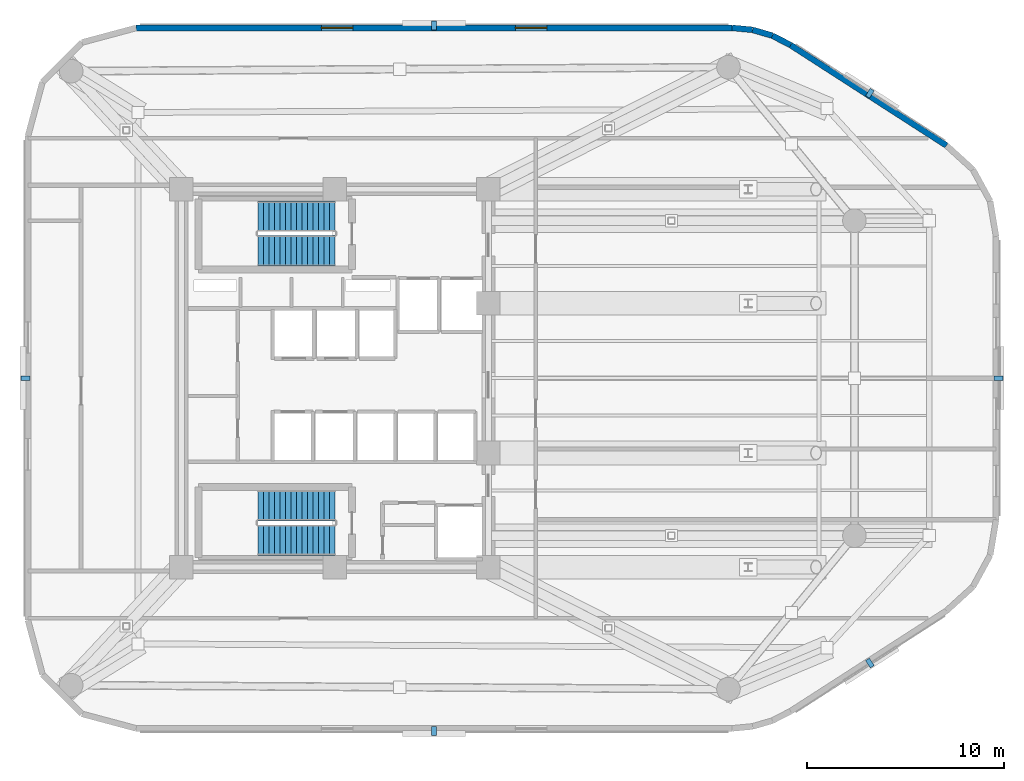
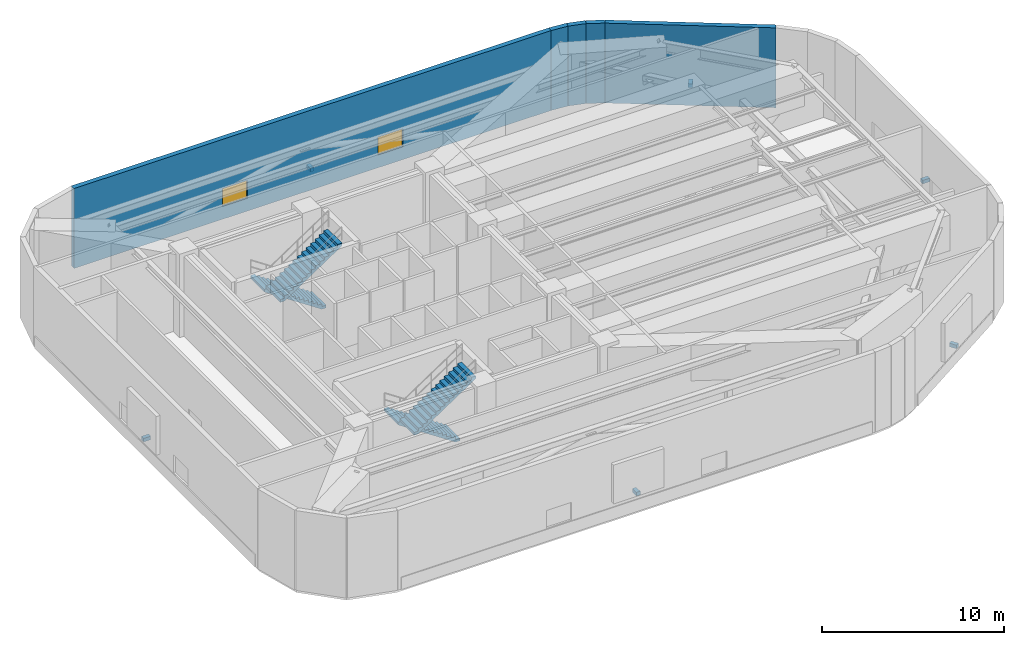
# One storey, part 7 of 9: 6 discrete accessories, 5 walls, 4 stair flights, 2 windows, 2 openings, 2 elements without a shape of their own.
"""IFC4 building model written with IfcOpenShell, lengths in metres."""

from ifc_helpers import new_model, si_unit, direction, frame, frame_2d, origin, origin_2d, place, context, subcontext, project, spatial, polyline, rectangle, outline, extrude, material, layer, layer_set, type_object, element, fill, aggregate, save


model = new_model("IFC4")

# Units and contexts
model_context = context("Model", 3, precision=1e-05, world=origin(), true_north=direction((0.0, 1.0)))
body_context = subcontext(model_context, "Body", "Model", "MODEL_VIEW")
ifc_project = project(units=[si_unit("LENGTHUNIT", "METRE"), si_unit("AREAUNIT", "SQUARE_METRE"), si_unit("VOLUMEUNIT", "CUBIC_METRE"), si_unit("PLANEANGLEUNIT", "RADIAN"), si_unit("MASSUNIT", "GRAM", prefix="KILO")], contexts=[model_context])

# Site, building, storey
site_placement = place(None, origin())
site = spatial("IfcSite", under=ifc_project, at=site_placement, CompositionType="ELEMENT")
building_placement = place(site_placement, origin())
building = spatial("IfcBuilding", under=site, at=building_placement, Name="An Khanh Terracotta Commons", CompositionType="ELEMENT")
storey_placement = place(building_placement, frame((0.0, 0.0, 190.60009765625)))
storey = spatial("IfcBuildingStorey", under=building, at=storey_placement, Name="L50", CompositionType="ELEMENT", Elevation=190.60009765625)

# Walls
ifc_material_1 = material(Name="Precast concrete C40/50", Category="concrete")
ifc_layer = layer(ifc_material_1, 0.300048828125, Name="Precast concrete C40/50")
ifc_layer_set = layer_set([ifc_layer], Name="Precast concrete C40/50")
wall_type = type_object("IfcWallType", Name="WALL-EXT-300", PredefinedType="SOLIDWALL", material=ifc_layer_set)
wall_1_placement = place(storey_placement, frame((60.47802734375, 35.823974609375, 0.0), z_axis=(0.0, 0.0, 1.0), x_axis=(-0.840696388796, 0.541506769917, 0.0)))
element("IfcWall", 1, at=wall_1_placement, inside=storey, type_object=wall_type, Name="L50 Insulated Terracotta Exterior Wall 16", PredefinedType="SOLIDWALL", context=body_context, shape_type="SweptSolid", body=[
    extrude(rectangle(XDim=9.41845703125, YDim=0.300048828125, at=frame_2d((4.709228515625, 0.0))), origin(), (0.0, 0.0, 1.0), 5.35986328125),
])
wall_2_placement = place(storey_placement, frame((52.56005859375, 40.924072265625, 0.0), z_axis=(0.0, 0.0, 1.0), x_axis=(-0.888283247196, 0.459296062198, 0.0)))
element("IfcWall", 2, at=wall_2_placement, inside=storey, type_object=wall_type, Name="L50 Insulated Terracotta Exterior Wall 17", PredefinedType="SOLIDWALL", context=body_context, shape_type="SweptSolid", body=[
    extrude(rectangle(XDim=1.047119140625, YDim=0.300048828125, at=frame_2d((0.5234375, 0.0))), origin(), (0.0, 0.0, 1.0), 5.35986328125),
])
wall_3_placement = place(storey_placement, frame((51.6298828125, 41.405029296875, 0.0), z_axis=(0.0, 0.0, 1.0), x_axis=(-0.959528674476, 0.281610942363, 0.0)))
element("IfcWall", 3, at=wall_3_placement, inside=storey, type_object=wall_type, Name="L50 Insulated Terracotta Exterior Wall 18", PredefinedType="SOLIDWALL", context=body_context, shape_type="SweptSolid", body=[
    extrude(rectangle(XDim=1.04736328125, YDim=0.300048828125, at=frame_2d((0.523681640625, 0.0))), origin(), (0.0, 0.0, 1.0), 5.35986328125),
])
wall_4_placement = place(storey_placement, frame((50.625, 41.699951171875, 0.0), z_axis=(0.0, 0.0, 1.0), x_axis=(-0.995426089968, 0.095534807324, 0.0)))
element("IfcWall", 4, at=wall_4_placement, inside=storey, type_object=wall_type, Name="L50 Insulated Terracotta Exterior Wall 19", PredefinedType="SOLIDWALL", context=body_context, shape_type="SweptSolid", body=[
    extrude(rectangle(XDim=1.0478515625, YDim=0.300048828125, at=frame_2d((0.52392578125, 0.0))), origin(), (0.0, 0.0, 1.0), 5.35986328125),
])

# Wall, openings, windows
wall_5_placement = place(storey_placement, frame((49.58203125, 41.800048828125, 0.0), z_axis=(0.0, 0.0, 1.0), x_axis=(-1.0, 0.0, 0.0)))
wall_5 = element("IfcWall", 5, at=wall_5_placement, inside=storey, type_object=wall_type, Name="L50 Insulated Terracotta Exterior Wall 20", PredefinedType="SOLIDWALL", context=body_context, shape_type="SweptSolid", body=[
    extrude(rectangle(XDim=30.281982421875, YDim=0.300048828125, at=frame_2d((15.14111328125, 0.0))), origin(), (0.0, 0.0, 1.0), 5.35986328125),
])
opening_1_placement = place(wall_5_placement, frame((9.410888671875, 0.0, 0.85009765625)))
opening_1 = element("IfcOpeningElement", 6, at=opening_1_placement, cuts=wall_5, Name="Opening W-12", PredefinedType="OPENING", context=body_context, shape_type="SweptSolid", body=[
    extrude(rectangle(XDim=1.60009765625, YDim=1.199951171875, at=frame_2d((0.800048828125, 0.60009765625))), frame((0.0, 0.159912109375, 0.0), z_axis=(0.0, -1.0, 0.0), x_axis=(1.0, 0.0, 0.0)), (0.0, 0.0, 1.0), 0.320068359375),
])
opening_2_placement = place(wall_5_placement, frame((19.27099609375, 0.0, 0.85009765625)))
opening_2 = element("IfcOpeningElement", 7, at=opening_2_placement, cuts=wall_5, Name="Opening W-12", PredefinedType="OPENING", context=body_context, shape_type="SweptSolid", body=[
    extrude(rectangle(XDim=1.60009765625, YDim=1.199951171875, at=frame_2d((0.800048828125, 0.60009765625))), frame((0.0, 0.159912109375, 0.0), z_axis=(0.0, -1.0, 0.0), x_axis=(1.0, 0.0, 0.0)), (0.0, 0.0, 1.0), 0.320068359375),
])
ifc_material_2 = material(Name="Thermally Broken Aluminium and Low-E Glass", Category="aluminium")
window_type = type_object("IfcWindowType", Name="WIN-REF-1600x1200", PartitioningType="DOUBLE_PANEL_VERTICAL", PredefinedType="WINDOW", material=ifc_material_2)
window_1_placement = place(opening_1_placement, origin())
window_1 = element("IfcWindow", 8, at=window_1_placement, inside=storey, type_object=window_type, Name="L50 Operable Casement Window 20.1", OverallHeight=1.199951171875, OverallWidth=1.60009765625, PartitioningType="DOUBLE_PANEL_VERTICAL", PredefinedType="WINDOW", context=body_context, shape_type="SweptSolid", body=[
    extrude(rectangle(XDim=1.60009765625, YDim=1.199951171875, at=frame_2d((0.800048828125, 0.60009765625))), frame((0.0, 0.030029296875, 0.0), z_axis=(0.0, -1.0, 0.0), x_axis=(1.0, 0.0, 0.0)), (0.0, 0.0, 1.0), 0.06005859375),
])
fill(opening_1, window_1)
window_2_placement = place(opening_2_placement, origin())
window_2 = element("IfcWindow", 9, at=window_2_placement, inside=storey, type_object=window_type, Name="L50 Operable Casement Window 20.2", OverallHeight=1.199951171875, OverallWidth=1.60009765625, PartitioningType="DOUBLE_PANEL_VERTICAL", PredefinedType="WINDOW", context=body_context, shape_type="SweptSolid", body=[
    extrude(rectangle(XDim=1.60009765625, YDim=1.199951171875, at=frame_2d((0.800048828125, 0.60009765625))), frame((0.0, 0.030029296875, 0.0), z_axis=(0.0, -1.0, 0.0), x_axis=(1.0, 0.0, 0.0)), (0.0, 0.0, 1.0), 0.06005859375),
])
fill(opening_2, window_2)

# Stair, stair flights
stair_type = type_object("IfcStairType", Name="STAIR-CORE-1550", PredefinedType="HALF_TURN_STAIR", material=ifc_material_1)
stair_1_placement = place(storey_placement, origin())
stair_1 = element("IfcStair", 10, at=stair_1_placement, inside=storey, type_object=stair_type, Name="L50 Core Smokeproof Exit Stair ST-01", PredefinedType="HALF_TURN_STAIR")
stair_flight_type = type_object("IfcStairFlightType", Name="FLIGHT-CORE-1550", PredefinedType="STRAIGHT", material=ifc_material_1)
stair_flight_1_placement = place(storey_placement, frame((29.409912109375, 32.22509765625, 0.0), z_axis=(0.0, 0.0, 1.0), x_axis=(-1.0, 0.0, 0.0)))
stair_flight_1 = element("IfcStairFlight", 11, at=stair_flight_1_placement, type_object=stair_flight_type, Name="ST-01 flight 1", NumberOfRisers=15, NumberOfTreads=14, PredefinedType="STRAIGHT", RiserHeight=0.186666667, TreadLength=0.28, context=body_context, shape_type="SweptSolid", body=[
    extrude(outline(polyline([(0.0, 0.0), (0.0, 0.186767578125), (0.280029296875, 0.186767578125), (0.280029296875, 0.373291015625), (0.56005859375, 0.373291015625), (0.56005859375, 0.56005859375), (0.840087890625, 0.56005859375), (0.840087890625, 0.74658203125), (1.1201171875, 0.74658203125), (1.1201171875, 0.933349609375), (1.39990234375, 0.933349609375), (1.39990234375, 1.1201171875), (1.679931640625, 1.1201171875), (1.679931640625, 1.306640625), (1.9599609375, 1.306640625), (1.9599609375, 1.493408203125), (2.239990234375, 1.493408203125), (2.239990234375, 1.679931640625), (2.52001953125, 1.679931640625), (2.52001953125, 1.86669921875), (2.800048828125, 1.86669921875), (2.800048828125, 2.05322265625), (3.080078125, 2.05322265625), (3.080078125, 2.239990234375), (3.360107421875, 2.239990234375), (3.360107421875, 2.4267578125), (3.639892578125, 2.4267578125), (3.639892578125, 2.61328125), (3.919921875, 2.61328125), (3.919921875, 2.800048828125), (3.919921875, 2.43310546875), (0.270263671875, 0.0), (0.0, 0.0)])), frame((0.0, 0.77490234375, 0.0), z_axis=(0.0, -1.0, 0.0), x_axis=(1.0, 0.0, 0.0)), (0.0, 0.0, 1.0), 1.550048828125),
])
stair_flight_2_placement = place(storey_placement, frame((25.489990234375, 30.47509765625, 2.7998046875), z_axis=(0.0, 0.0, 1.0), x_axis=(1.0, 0.0, 0.0)))
stair_flight_2 = element("IfcStairFlight", 12, at=stair_flight_2_placement, type_object=stair_flight_type, Name="ST-01 flight 2", NumberOfRisers=15, NumberOfTreads=14, PredefinedType="STRAIGHT", RiserHeight=0.186666667, TreadLength=0.28, context=body_context, shape_type="SweptSolid", body=[
    extrude(outline(polyline([(0.0, 0.0), (0.0, 0.186767578125), (0.280029296875, 0.186767578125), (0.280029296875, 0.373291015625), (0.56005859375, 0.373291015625), (0.56005859375, 0.56005859375), (0.840087890625, 0.56005859375), (0.840087890625, 0.74658203125), (1.1201171875, 0.74658203125), (1.1201171875, 0.933349609375), (1.39990234375, 0.933349609375), (1.39990234375, 1.1201171875), (1.679931640625, 1.1201171875), (1.679931640625, 1.306640625), (1.9599609375, 1.306640625), (1.9599609375, 1.493408203125), (2.239990234375, 1.493408203125), (2.239990234375, 1.679931640625), (2.52001953125, 1.679931640625), (2.52001953125, 1.86669921875), (2.800048828125, 1.86669921875), (2.800048828125, 2.05322265625), (3.080078125, 2.05322265625), (3.080078125, 2.239990234375), (3.360107421875, 2.239990234375), (3.360107421875, 2.4267578125), (3.639892578125, 2.4267578125), (3.639892578125, 2.61328125), (3.919921875, 2.61328125), (3.919921875, 2.800048828125), (3.919921875, 2.43310546875), (0.270263671875, 0.0), (0.0, 0.0)])), frame((0.0, 0.77490234375, 0.0), z_axis=(0.0, -1.0, 0.0), x_axis=(1.0, 0.0, 0.0)), (0.0, 0.0, 1.0), 1.550048828125),
])
aggregate(stair_1, [stair_flight_1, stair_flight_2])

stair_2_placement = place(storey_placement, origin())
stair_2 = element("IfcStair", 13, at=stair_2_placement, inside=storey, type_object=stair_type, Name="L50 Core Smokeproof Exit Stair ST-02", PredefinedType="HALF_TURN_STAIR")
stair_flight_3_placement = place(storey_placement, frame((29.409912109375, 17.52490234375, 0.0), z_axis=(0.0, 0.0, 1.0), x_axis=(-1.0, 0.0, 0.0)))
stair_flight_3 = element("IfcStairFlight", 14, at=stair_flight_3_placement, type_object=stair_flight_type, Name="ST-02 flight 1", NumberOfRisers=15, NumberOfTreads=14, PredefinedType="STRAIGHT", RiserHeight=0.186666667, TreadLength=0.28, context=body_context, shape_type="SweptSolid", body=[
    extrude(outline(polyline([(0.0, 0.0), (0.0, 0.186767578125), (0.280029296875, 0.186767578125), (0.280029296875, 0.373291015625), (0.56005859375, 0.373291015625), (0.56005859375, 0.56005859375), (0.840087890625, 0.56005859375), (0.840087890625, 0.74658203125), (1.1201171875, 0.74658203125), (1.1201171875, 0.933349609375), (1.39990234375, 0.933349609375), (1.39990234375, 1.1201171875), (1.679931640625, 1.1201171875), (1.679931640625, 1.306640625), (1.9599609375, 1.306640625), (1.9599609375, 1.493408203125), (2.239990234375, 1.493408203125), (2.239990234375, 1.679931640625), (2.52001953125, 1.679931640625), (2.52001953125, 1.86669921875), (2.800048828125, 1.86669921875), (2.800048828125, 2.05322265625), (3.080078125, 2.05322265625), (3.080078125, 2.239990234375), (3.360107421875, 2.239990234375), (3.360107421875, 2.4267578125), (3.639892578125, 2.4267578125), (3.639892578125, 2.61328125), (3.919921875, 2.61328125), (3.919921875, 2.800048828125), (3.919921875, 2.43310546875), (0.270263671875, 0.0), (0.0, 0.0)])), frame((0.0, 0.77490234375, 0.0), z_axis=(0.0, -1.0, 0.0), x_axis=(1.0, 0.0, 0.0)), (0.0, 0.0, 1.0), 1.550048828125),
])
stair_flight_4_placement = place(storey_placement, frame((25.489990234375, 15.77490234375, 2.7998046875), z_axis=(0.0, 0.0, 1.0), x_axis=(1.0, 0.0, 0.0)))
stair_flight_4 = element("IfcStairFlight", 15, at=stair_flight_4_placement, type_object=stair_flight_type, Name="ST-02 flight 2", NumberOfRisers=15, NumberOfTreads=14, PredefinedType="STRAIGHT", RiserHeight=0.186666667, TreadLength=0.28, context=body_context, shape_type="SweptSolid", body=[
    extrude(outline(polyline([(0.0, 0.0), (0.0, 0.186767578125), (0.280029296875, 0.186767578125), (0.280029296875, 0.373291015625), (0.56005859375, 0.373291015625), (0.56005859375, 0.56005859375), (0.840087890625, 0.56005859375), (0.840087890625, 0.74658203125), (1.1201171875, 0.74658203125), (1.1201171875, 0.933349609375), (1.39990234375, 0.933349609375), (1.39990234375, 1.1201171875), (1.679931640625, 1.1201171875), (1.679931640625, 1.306640625), (1.9599609375, 1.306640625), (1.9599609375, 1.493408203125), (2.239990234375, 1.493408203125), (2.239990234375, 1.679931640625), (2.52001953125, 1.679931640625), (2.52001953125, 1.86669921875), (2.800048828125, 1.86669921875), (2.800048828125, 2.05322265625), (3.080078125, 2.05322265625), (3.080078125, 2.239990234375), (3.360107421875, 2.239990234375), (3.360107421875, 2.4267578125), (3.639892578125, 2.4267578125), (3.639892578125, 2.61328125), (3.919921875, 2.61328125), (3.919921875, 2.800048828125), (3.919921875, 2.43310546875), (0.270263671875, 0.0), (0.0, 0.0)])), frame((0.0, 0.77490234375, 0.0), z_axis=(0.0, -1.0, 0.0), x_axis=(1.0, 0.0, 0.0)), (0.0, 0.0, 1.0), 1.550048828125),
])
aggregate(stair_2, [stair_flight_3, stair_flight_4])

# Discrete accessories
ifc_material_3 = material(Name="Stainless Steel Grade 316L", Category="steel")
discrete_accessory_type = type_object("IfcDiscreteAccessoryType", Name="Stainless Outrigger Facade Bracket", PredefinedType="BRACKET", material=ifc_material_3)
for number, where, z_axis, x_axis, name in (
    (16, (34.44091796875, 6.080078125, 1.1796875), (0.0, 0.0, 1.0), (1.0, 0.0, 0.0), "L50 Louvre Bracket 4"),
    (17, (56.583984375, 9.52490234375, 1.1796875), (0.0, 0.0, 1.0), (0.840702081986, 0.541497931062, 0.0), "L50 Louvre Bracket 8"),
    (18, (63.1201171875, 24.0, 1.1796875), (0.0, 0.0, 1.0), (0.0, 1.0, 0.0), "L50 Louvre Bracket 12"),
    (19, (56.583984375, 38.47509765625, 1.1796875), (0.0, 0.0, 1.0), (-0.840702081986, 0.541497931062, 0.0), "L50 Louvre Bracket 16"),
    (20, (34.44091796875, 41.919921875, 1.1796875), (0.0, 0.0, 1.0), (-1.0, 0.0, 0.0), "L50 Louvre Bracket 20"),
    (21, (13.679931640625, 24.0, 1.1796875), (0.0, 0.0, 1.0), (0.0, -1.0, 0.0), "L50 Louvre Bracket 24"),
):
    element("IfcDiscreteAccessory", number, at=place(storey_placement, frame(where, z_axis=z_axis, x_axis=x_axis)), inside=storey, type_object=discrete_accessory_type, Name=name, PredefinedType="BRACKET", context=body_context, shape_type="SweptSolid", body=[
        extrude(rectangle(XDim=0.239990234375, YDim=0.449951171875, at=origin_2d()), origin(), (0.0, 0.0, 1.0), 0.239990234375),
    ])

save(model, "model.ifc")
